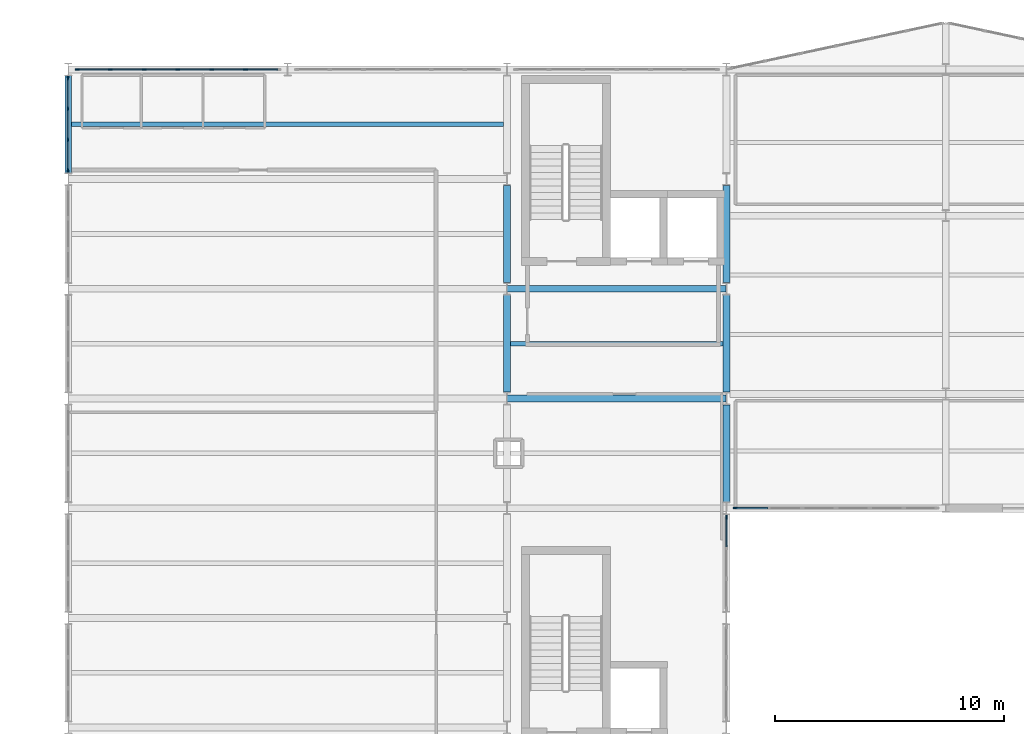
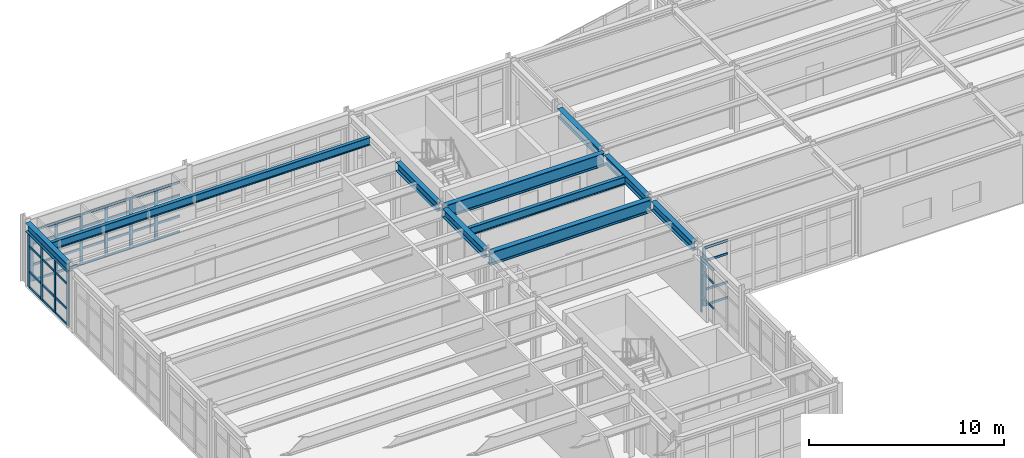
# One storey, part 27 of 64: 55 members, 10 beams, 4 elements without a shape of their own.
"""IFC4 building model written with IfcOpenShell, lengths in metres."""

import ifcopenshell
import ifcopenshell.guid

model = None  # the IFC model being written
_history = None  # IfcOwnerHistory: only IFC2X3 demands one
_inside = {}  # id of a spatial element -> (the spatial element, [elements in it])
_under = {}  # id of a project, library or spatial element -> (it, [spatial elements below it])
_declared = {}  # id of a project -> (the project, [libraries it declares])
_typed = {}  # id of a type object -> (the type object, [elements of that type])
_made_of = {}  # id of a material, layer set ... -> (it, [elements and type objects made of it])


def new_model(schema):
    """Start an empty IFC model of exactly this schema.

    Asked for "IFC4X3", IfcOpenShell would pick the latest addendum, in which some entities
    have other attributes; the version numbers below select the first issue.
    IFC2X3 requires an IfcOwnerHistory on every rooted entity: one is made here for all.
    """
    global model, _history
    if schema == "IFC4X3":
        model = ifcopenshell.file(schema_version=(4, 3, 0, 0))
    else:
        model = ifcopenshell.file(schema=schema)
    _inside.clear()
    _under.clear()
    _declared.clear()
    _typed.clear()
    _made_of.clear()
    _history = None
    if model.schema == "IFC2X3":
        org = make("IfcOrganization", Name="unknown")
        user = make(
            "IfcPersonAndOrganization",
            ThePerson=make("IfcPerson", FamilyName="unknown"),
            TheOrganization=org,
        )
        app = make(
            "IfcApplication",
            ApplicationDeveloper=org,
            Version="unknown",
            ApplicationFullName="unknown",
            ApplicationIdentifier="unknown",
        )
        _history = make(
            "IfcOwnerHistory",
            OwningUser=user,
            OwningApplication=app,
            ChangeAction="ADDED",
            CreationDate=0,
        )
    return model


def make(cls, **values):
    """One entity of the class cls with the attributes given. An attribute that is None is left unset."""
    return model.create_entity(
        cls, **{name: value for name, value in values.items() if value is not None}
    )


def rooted(cls, **values):
    """An entity with a GlobalId (a new one), such as an element, a storey or a relation."""
    return make(cls, GlobalId=ifcopenshell.guid.new(), OwnerHistory=_history, **values)


def si_unit(unit_type, name, prefix=None):
    """IfcSIUnit, for example si_unit("LENGTHUNIT", "METRE", prefix="MILLI")."""
    return make("IfcSIUnit", UnitType=unit_type, Prefix=prefix, Name=name)


def assignment(units):
    """IfcUnitAssignment: the units of a project."""
    return None if units is None else make("IfcUnitAssignment", Units=units)


def point(xyz):
    """IfcCartesianPoint."""
    return None if xyz is None else make("IfcCartesianPoint", Coordinates=xyz)


def direction(xyz):
    """IfcDirection."""
    return None if xyz is None else make("IfcDirection", DirectionRatios=xyz)


def frame(location, z_axis=None, x_axis=None):
    """IfcAxis2Placement3D, a coordinate frame: its origin and axes. An axis left out is left unset."""
    return make(
        "IfcAxis2Placement3D",
        Location=point(location),
        Axis=direction(z_axis),
        RefDirection=direction(x_axis),
    )


def frame_2d(location, x_axis=None):
    """IfcAxis2Placement2D, a coordinate frame in the plane: its origin and x axis."""
    return make(
        "IfcAxis2Placement2D", Location=point(location), RefDirection=direction(x_axis)
    )


def origin():
    """The frame at (0, 0, 0) with its axes left unset."""
    return frame((0.0, 0.0, 0.0))


def origin_2d():
    """The frame at (0, 0) in the plane with its x axis left unset."""
    return frame_2d((0.0, 0.0))


def place(relative_to, where):
    """IfcLocalPlacement: puts the frame where relative to a parent placement (None: the world)."""
    return make(
        "IfcLocalPlacement", PlacementRelTo=relative_to, RelativePlacement=where
    )


def context(
    kind, dimensions, precision=None, world=None, true_north=None, identifier=None
):
    """IfcGeometricRepresentationContext, for example the 3D "Model" context."""
    return make(
        "IfcGeometricRepresentationContext",
        ContextIdentifier=identifier,
        ContextType=kind,
        CoordinateSpaceDimension=dimensions,
        Precision=precision,
        WorldCoordinateSystem=world,
        TrueNorth=true_north,
    )


def subcontext(parent, identifier, kind, view, scale=None):
    """IfcGeometricRepresentationSubContext, for example "Body" below "Model"."""
    return make(
        "IfcGeometricRepresentationSubContext",
        ContextIdentifier=identifier,
        ContextType=kind,
        ParentContext=parent,
        TargetScale=scale,
        TargetView=view,
    )


def project(units=None, contexts=None):
    """IfcProject with its units and contexts."""
    return rooted(
        "IfcProject",
        Name="project",
        RepresentationContexts=contexts,
        UnitsInContext=assignment(units),
    )


def spatial(cls, under=None, at=None, **own):
    """A site, building, storey or space (cls), placed at a placement, below another one or the project."""
    s = rooted(cls, ObjectPlacement=at, **own)
    if under is not None:
        _under.setdefault(under.id(), (under, []))[1].append(s)
    return s


def profile(cls, at=None, kind="AREA", **sizes):
    """A parametric profile (cls). Its sizes go by their IFC names, for example OverallWidth=200.0."""
    return make(cls, ProfileType=kind, Position=at, **sizes)


def rectangle(**sizes):
    """IfcRectangleProfileDef."""
    return profile("IfcRectangleProfileDef", **sizes)


def i_section(**sizes):
    """IfcIShapeProfileDef."""
    return profile("IfcIShapeProfileDef", **sizes)


def extrude(swept, where, along, depth):
    """IfcExtrudedAreaSolid: the profile swept, set in the frame where, extruded along a direction by depth."""
    return make(
        "IfcExtrudedAreaSolid",
        SweptArea=swept,
        Position=where,
        ExtrudedDirection=direction(along),
        Depth=depth,
    )


def shape(context_of_items, identifier, shape_type, items):
    """IfcShapeRepresentation: the items that make up one representation, for example the "Body"."""
    return make(
        "IfcShapeRepresentation",
        ContextOfItems=context_of_items,
        RepresentationIdentifier=identifier,
        RepresentationType=shape_type,
        Items=items,
    )


def material(Name=None, Category=None):
    """IfcMaterial."""
    return make("IfcMaterial", Name=Name, Category=Category)


def layer(
    of_material, thickness, ventilated=None, Name=None, Category=None, Priority=None
):
    """IfcMaterialLayer: one layer of a wall or slab, of a material (None: an air gap)."""
    return make(
        "IfcMaterialLayer",
        Material=of_material,
        LayerThickness=thickness,
        IsVentilated=ventilated,
        Name=Name,
        Category=Category,
        Priority=Priority,
    )


def layer_set(layers, Name=None):
    """IfcMaterialLayerSet."""
    return make("IfcMaterialLayerSet", MaterialLayers=layers, LayerSetName=Name)


def material_profile(
    of_material, cross_section, Name=None, Category=None, Priority=None
):
    """IfcMaterialProfile: a cross section and its material."""
    return make(
        "IfcMaterialProfile",
        Name=Name,
        Material=of_material,
        Profile=cross_section,
        Priority=Priority,
        Category=Category,
    )


def profile_set(profiles, Name=None, composite=None):
    """IfcMaterialProfileSet."""
    return make(
        "IfcMaterialProfileSet",
        Name=Name,
        MaterialProfiles=profiles,
        CompositeProfile=composite,
    )


def made_of(thing, what):
    """Note that an element or type object is made of a material, layer set ...; save() writes the relation."""
    if what is not None:
        _made_of.setdefault(what.id(), (what, []))[1].append(thing)
    return thing


def type_object(cls, material=None, **own):
    """A type object (cls), such as IfcWallType, which elements share."""
    return made_of(rooted(cls, **own), material)


def element(
    cls,
    number,
    at=None,
    inside=None,
    cuts=None,
    type_object=None,
    material=None,
    context=None,
    identifier="Body",
    shape_type=None,
    held_by="IfcProductDefinitionShape",
    body=None,
    shapes=None,
    **own,
):
    """One element of the class cls, such as IfcWall. Its Tag is "e" and its number.

    at: its placement. inside: the storey or other place that contains it. cuts: it is an
    opening in that element (IfcRelVoidsElement). A single representation is given by context,
    identifier, shape_type and body (its items); several are given by shapes. held_by: the class
    of the entity that holds the representations. save() writes the other relations.
    """
    e = rooted(cls, Tag="e%d" % number, ObjectPlacement=at, **own)
    if body is not None:
        shapes = [shape(context, identifier, shape_type, body)]
    if shapes is not None:
        e.Representation = make(held_by, Representations=shapes)
    if inside is not None:
        _inside.setdefault(inside.id(), (inside, []))[1].append(e)
    if cuts is not None:
        rooted(
            "IfcRelVoidsElement", RelatingBuildingElement=cuts, RelatedOpeningElement=e
        )
    if type_object is not None:
        _typed.setdefault(type_object.id(), (type_object, []))[1].append(e)
    return made_of(e, material)


def aggregate(whole, parts):
    """IfcRelAggregates: a whole, such as a stair, and the parts it consists of."""
    return rooted("IfcRelAggregates", RelatingObject=whole, RelatedObjects=parts)


def save(model, path):
    """Write the relations noted so far, then the file.

    IfcRelAggregates (storeys below a building ...), IfcRelContainedInSpatialStructure (elements
    in a storey), IfcRelDefinesByType, IfcRelAssociatesMaterial and IfcRelDeclares: one each for
    every whole, place, type object, material and project.
    """
    for whole, parts in _under.values():
        aggregate(whole, parts)
    for where, things in _inside.values():
        rooted(
            "IfcRelContainedInSpatialStructure",
            RelatedElements=things,
            RelatingStructure=where,
        )
    for kind, things in _typed.values():
        rooted("IfcRelDefinesByType", RelatedObjects=things, RelatingType=kind)
    for what, things in _made_of.values():
        rooted("IfcRelAssociatesMaterial", RelatedObjects=things, RelatingMaterial=what)
    for by, libraries in _declared.values():
        rooted("IfcRelDeclares", RelatingContext=by, RelatedDefinitions=libraries)
    model.write(path)


model = new_model("IFC4")

# Units and contexts
model_context = context("Model", 3, precision=1e-05, world=origin(), true_north=direction((0.0, 1.0)))
body_context = subcontext(model_context, "Body", "Model", "MODEL_VIEW")
ifc_project = project(units=[si_unit("LENGTHUNIT", "METRE"), si_unit("AREAUNIT", "SQUARE_METRE"), si_unit("VOLUMEUNIT", "CUBIC_METRE"), si_unit("PLANEANGLEUNIT", "RADIAN"), si_unit("MASSUNIT", "GRAM", prefix="KILO")], contexts=[model_context])

# Site, building, storey
site_placement = place(None, origin())
site = spatial("IfcSite", under=ifc_project, at=site_placement, CompositionType="ELEMENT")
building_placement = place(site_placement, origin())
building = spatial("IfcBuilding", under=site, at=building_placement, Name="Nordkorset Police Headquarters", CompositionType="ELEMENT")
storey_placement = place(building_placement, frame((0.0, 0.0, 17.85009765625)))
storey = spatial("IfcBuildingStorey", under=building, at=storey_placement, Name="L04", CompositionType="ELEMENT", Elevation=17.85009765625)

# Beams
ifc_material_1 = material(Name="Steel S355J2", Category="steel")
ifc_material_profile_1 = material_profile(ifc_material_1, i_section(OverallWidth=0.199951171875, OverallDepth=0.5, WebThickness=0.01025390625, FlangeThickness=0.01611328125, FilletRadius=0.02099609375, at=origin_2d()), Name="IPE 500")
ifc_profile_set_1 = profile_set([ifc_material_profile_1], Name="Steel S355J2")
beam_type_1 = type_object("IfcBeamType", Name="Beam_IPE_500", PredefinedType="BEAM", material=ifc_profile_set_1)
beam_1_placement = place(storey_placement, frame((0.14990234375, 114.39990234375, 3.739990234375), z_axis=(1.0, 0.0, 0.0), x_axis=(0.0, 1.0, 0.0)))
element("IfcBeam", 1, at=beam_1_placement, inside=storey, type_object=beam_type_1, Name="Composite Floor Beam V1 L04 0-6-1", PredefinedType="BEAM", context=body_context, shape_type="SweptSolid", body=[
    extrude(i_section(OverallWidth=0.199951171875, OverallDepth=0.5, WebThickness=0.01025390625, FlangeThickness=0.01611328125, FilletRadius=0.02099609375, at=origin_2d()), origin(), (0.0, 0.0, 1.0), 18.900146484375),
])
beam_2_placement = place(storey_placement, frame((19.35009765625, 104.800048828125, 3.739990234375), z_axis=(1.0, 0.0, 0.0), x_axis=(0.0, 1.0, 0.0)))
element("IfcBeam", 2, at=beam_2_placement, inside=storey, type_object=beam_type_1, Name="Composite Floor Beam V1 L04 1-4-1", PredefinedType="BEAM", context=body_context, shape_type="SweptSolid", body=[
    extrude(i_section(OverallWidth=0.199951171875, OverallDepth=0.5, WebThickness=0.01025390625, FlangeThickness=0.01611328125, FilletRadius=0.02099609375, at=origin_2d()), origin(), (0.0, 0.0, 1.0), 9.2998046875),
])

# Curtain wall, members
ifc_material_2 = material(Name="Aluminium alloy AW-6060", Category="aluminium")
ifc_layer_1 = layer(ifc_material_2, 0.179931640625, Name="Aluminium alloy AW-6060")
ifc_layer_set_1 = layer_set([ifc_layer_1], Name="Aluminium alloy AW-6060")
curtain_wall_type_1 = type_object("IfcCurtainWallType", Name="CW_Unit_408x343", PredefinedType="USERDEFINED", material=ifc_layer_set_1)
curtain_wall_1_placement = place(storey_placement, origin())
curtain_wall_1 = element("IfcCurtainWall", 3, at=curtain_wall_1_placement, inside=storey, type_object=curtain_wall_type_1, Name="Unitised Curtain Wall L04 V1W-6", ObjectType="UNITISED CURTAIN WALL", PredefinedType="USERDEFINED")
ifc_material_3 = material(Name="Aluminium alloy AW-6060", Category="aluminium")
ifc_material_profile_2 = material_profile(ifc_material_3, rectangle(XDim=0.06494140625, YDim=0.179931640625, at=origin_2d()), Name="ALU MULL 65x180")
ifc_profile_set_2 = profile_set([ifc_material_profile_2], Name="Aluminium alloy AW-6060")
member_type_1 = type_object("IfcMemberType", Name="CW_Mullion_65x180", PredefinedType="MULLION", material=ifc_profile_set_2)
member_1_placement = place(storey_placement, frame((0.0, 112.392578125, 0.0), z_axis=(0.0, 0.0, 1.0), x_axis=(-1.0, 0.0, 0.0)))
member_1 = element("IfcMember", 4, at=member_1_placement, type_object=member_type_1, Name="CW-89 mullion 1", PredefinedType="MULLION", context=body_context, shape_type="SweptSolid", body=[
    extrude(rectangle(XDim=0.06494140625, YDim=0.179931640625, at=origin_2d()), origin(), (0.0, 0.0, 1.0), 3.429931640625),
])
member_2_placement = place(storey_placement, frame((0.0, 113.719970703125, 0.0), z_axis=(0.0, 0.0, 1.0), x_axis=(-1.0, 0.0, 0.0)))
member_2 = element("IfcMember", 5, at=member_2_placement, type_object=member_type_1, Name="CW-89 mullion 2", PredefinedType="MULLION", context=body_context, shape_type="SweptSolid", body=[
    extrude(rectangle(XDim=0.06494140625, YDim=0.179931640625, at=origin_2d()), origin(), (0.0, 0.0, 1.0), 3.429931640625),
])
member_3_placement = place(storey_placement, frame((0.0, 115.080078125, 0.0), z_axis=(0.0, 0.0, 1.0), x_axis=(-1.0, 0.0, 0.0)))
member_3 = element("IfcMember", 6, at=member_3_placement, type_object=member_type_1, Name="CW-89 mullion 3", PredefinedType="MULLION", context=body_context, shape_type="SweptSolid", body=[
    extrude(rectangle(XDim=0.06494140625, YDim=0.179931640625, at=origin_2d()), origin(), (0.0, 0.0, 1.0), 3.429931640625),
])
member_4_placement = place(storey_placement, frame((0.0, 116.407470703125, 0.0), z_axis=(0.0, 0.0, 1.0), x_axis=(-1.0, 0.0, 0.0)))
member_4 = element("IfcMember", 7, at=member_4_placement, type_object=member_type_1, Name="CW-89 mullion 4", PredefinedType="MULLION", context=body_context, shape_type="SweptSolid", body=[
    extrude(rectangle(XDim=0.06494140625, YDim=0.179931640625, at=origin_2d()), origin(), (0.0, 0.0, 1.0), 3.429931640625),
])

ifc_material_4 = material(Name="Aluminium alloy AW-6060", Category="aluminium")
ifc_layer_2 = layer(ifc_material_4, 0.179931640625, Name="Aluminium alloy AW-6060")
ifc_layer_set_2 = layer_set([ifc_layer_2], Name="Aluminium alloy AW-6060")
curtain_wall_type_2 = type_object("IfcCurtainWallType", Name="CW_Unit_888x317", PredefinedType="USERDEFINED", material=ifc_layer_set_2)
curtain_wall_2_placement = place(storey_placement, origin())
curtain_wall_2 = element("IfcCurtainWall", 8, at=curtain_wall_2_placement, inside=storey, type_object=curtain_wall_type_2, Name="Unitised Curtain Wall L04 V1N-0", ObjectType="UNITISED CURTAIN WALL", PredefinedType="USERDEFINED")
member_5_placement = place(storey_placement, frame((0.392578125, 116.800048828125, 0.0), z_axis=(0.0, 0.0, 1.0), x_axis=(0.0, 1.0, 0.0)))
member_5 = element("IfcMember", 9, at=member_5_placement, type_object=member_type_1, Name="CW-45 mullion 1", PredefinedType="MULLION", context=body_context, shape_type="SweptSolid", body=[
    extrude(rectangle(XDim=0.06494140625, YDim=0.179931640625, at=origin_2d()), origin(), (0.0, 0.0, 1.0), 3.169921875),
])
member_6_placement = place(storey_placement, frame((1.840087890625, 116.800048828125, 0.0), z_axis=(0.0, 0.0, 1.0), x_axis=(0.0, 1.0, 0.0)))
member_6 = element("IfcMember", 10, at=member_6_placement, type_object=member_type_1, Name="CW-45 mullion 2", PredefinedType="MULLION", context=body_context, shape_type="SweptSolid", body=[
    extrude(rectangle(XDim=0.06494140625, YDim=0.179931640625, at=origin_2d()), origin(), (0.0, 0.0, 1.0), 3.169921875),
])
member_7_placement = place(storey_placement, frame((3.320068359375, 116.800048828125, 0.0), z_axis=(0.0, 0.0, 1.0), x_axis=(0.0, 1.0, 0.0)))
member_7 = element("IfcMember", 11, at=member_7_placement, type_object=member_type_1, Name="CW-45 mullion 3", PredefinedType="MULLION", context=body_context, shape_type="SweptSolid", body=[
    extrude(rectangle(XDim=0.06494140625, YDim=0.179931640625, at=origin_2d()), origin(), (0.0, 0.0, 1.0), 3.169921875),
])
member_8_placement = place(storey_placement, frame((4.800048828125, 116.800048828125, 0.0), z_axis=(0.0, 0.0, 1.0), x_axis=(0.0, 1.0, 0.0)))
member_8 = element("IfcMember", 12, at=member_8_placement, type_object=member_type_1, Name="CW-45 mullion 4", PredefinedType="MULLION", context=body_context, shape_type="SweptSolid", body=[
    extrude(rectangle(XDim=0.06494140625, YDim=0.179931640625, at=origin_2d()), origin(), (0.0, 0.0, 1.0), 3.169921875),
])
member_9_placement = place(storey_placement, frame((6.280029296875, 116.800048828125, 0.0), z_axis=(0.0, 0.0, 1.0), x_axis=(0.0, 1.0, 0.0)))
member_9 = element("IfcMember", 13, at=member_9_placement, type_object=member_type_1, Name="CW-45 mullion 5", PredefinedType="MULLION", context=body_context, shape_type="SweptSolid", body=[
    extrude(rectangle(XDim=0.06494140625, YDim=0.179931640625, at=origin_2d()), origin(), (0.0, 0.0, 1.0), 3.169921875),
])
member_10_placement = place(storey_placement, frame((7.760009765625, 116.800048828125, 0.0), z_axis=(0.0, 0.0, 1.0), x_axis=(0.0, 1.0, 0.0)))
member_10 = element("IfcMember", 14, at=member_10_placement, type_object=member_type_1, Name="CW-45 mullion 6", PredefinedType="MULLION", context=body_context, shape_type="SweptSolid", body=[
    extrude(rectangle(XDim=0.06494140625, YDim=0.179931640625, at=origin_2d()), origin(), (0.0, 0.0, 1.0), 3.169921875),
])

# Curtain wall, member
curtain_wall_3_placement = place(storey_placement, origin())
curtain_wall_3 = element("IfcCurtainWall", 15, at=curtain_wall_3_placement, inside=storey, type_object=curtain_wall_type_1, Name="Unitised Curtain Wall L04 V1E-2", ObjectType="UNITISED CURTAIN WALL", PredefinedType="USERDEFINED")
member_11_placement = place(storey_placement, frame((28.800048828125, 97.20751953125, 0.0), z_axis=(0.0, 0.0, 1.0), x_axis=(-1.0, 0.0, 0.0)))
member_11 = element("IfcMember", 16, at=member_11_placement, type_object=member_type_1, Name="CW-89 mullion 4", PredefinedType="MULLION", context=body_context, shape_type="SweptSolid", body=[
    extrude(rectangle(XDim=0.06494140625, YDim=0.179931640625, at=origin_2d()), origin(), (0.0, 0.0, 1.0), 3.429931640625),
])

ifc_material_5 = material(Name="Aluminium alloy AW-6060", Category="aluminium")
ifc_layer_3 = layer(ifc_material_5, 0.179931640625, Name="Aluminium alloy AW-6060")
ifc_layer_set_3 = layer_set([ifc_layer_3], Name="Aluminium alloy AW-6060")
curtain_wall_type_3 = type_object("IfcCurtainWallType", Name="CW_Unit_888x366", PredefinedType="USERDEFINED", material=ifc_layer_set_3)
curtain_wall_4_placement = place(storey_placement, origin())
curtain_wall_4 = element("IfcCurtainWall", 17, at=curtain_wall_4_placement, inside=storey, type_object=curtain_wall_type_3, Name="Unitised Curtain Wall L04 V2S-0", ObjectType="UNITISED CURTAIN WALL", PredefinedType="USERDEFINED")
member_12_placement = place(storey_placement, frame((29.1923828125, 97.60009765625, 0.0), z_axis=(0.0, 0.0, 1.0), x_axis=(0.0, 1.0, 0.0)))
member_12 = element("IfcMember", 18, at=member_12_placement, type_object=member_type_1, Name="CW-19 mullion 1", PredefinedType="MULLION", context=body_context, shape_type="SweptSolid", body=[
    extrude(rectangle(XDim=0.06494140625, YDim=0.179931640625, at=origin_2d()), origin(), (0.0, 0.0, 1.0), 3.65478515625),
])

# Member
ifc_material_6 = material(Name="Aluminium alloy AW-6060", Category="aluminium")
ifc_material_profile_3 = material_profile(ifc_material_6, rectangle(XDim=0.06494140625, YDim=0.139892578125, at=origin_2d()), Name="ALU TRAN 65x140")
ifc_profile_set_3 = profile_set([ifc_material_profile_3], Name="Aluminium alloy AW-6060")
member_type_2 = type_object("IfcMemberType", Name="CW_Transom_65x140", PredefinedType="USERDEFINED", material=ifc_profile_set_3)
member_13_placement = place(storey_placement, frame((0.0, 112.425048828125, 0.032470703125), z_axis=(0.0, 1.0, 0.0), x_axis=(-1.0, 0.0, 0.0)))
member_13 = element("IfcMember", 19, at=member_13_placement, type_object=member_type_2, Name="CW-89 transom 1.1", ObjectType="TRANSOM", PredefinedType="USERDEFINED", context=body_context, shape_type="SweptSolid", body=[
    extrude(rectangle(XDim=0.06494140625, YDim=0.139892578125, at=origin_2d()), origin(), (0.0, 0.0, 1.0), 1.262451171875),
])

member_14_placement = place(storey_placement, frame((0.0, 112.425048828125, 1.0), z_axis=(0.0, 1.0, 0.0), x_axis=(-1.0, 0.0, 0.0)))
member_14 = element("IfcMember", 20, at=member_14_placement, type_object=member_type_2, Name="CW-89 transom 1.2", ObjectType="TRANSOM", PredefinedType="USERDEFINED", context=body_context, shape_type="SweptSolid", body=[
    extrude(rectangle(XDim=0.06494140625, YDim=0.139892578125, at=origin_2d()), origin(), (0.0, 0.0, 1.0), 1.262451171875),
])

member_15_placement = place(storey_placement, frame((0.0, 112.425048828125, 2.579833984375), z_axis=(0.0, 1.0, 0.0), x_axis=(-1.0, 0.0, 0.0)))
member_15 = element("IfcMember", 21, at=member_15_placement, type_object=member_type_2, Name="CW-89 transom 1.3", ObjectType="TRANSOM", PredefinedType="USERDEFINED", context=body_context, shape_type="SweptSolid", body=[
    extrude(rectangle(XDim=0.06494140625, YDim=0.139892578125, at=origin_2d()), origin(), (0.0, 0.0, 1.0), 1.262451171875),
])

member_16_placement = place(storey_placement, frame((0.0, 112.425048828125, 3.3974609375), z_axis=(0.0, 1.0, 0.0), x_axis=(-1.0, 0.0, 0.0)))
member_16 = element("IfcMember", 22, at=member_16_placement, type_object=member_type_2, Name="CW-89 transom 1.4", ObjectType="TRANSOM", PredefinedType="USERDEFINED", context=body_context, shape_type="SweptSolid", body=[
    extrude(rectangle(XDim=0.06494140625, YDim=0.139892578125, at=origin_2d()), origin(), (0.0, 0.0, 1.0), 1.262451171875),
])

member_17_placement = place(storey_placement, frame((0.0, 113.75244140625, 0.032470703125), z_axis=(0.0, 1.0, 0.0), x_axis=(-1.0, 0.0, 0.0)))
member_17 = element("IfcMember", 23, at=member_17_placement, type_object=member_type_2, Name="CW-89 transom 2.1", ObjectType="TRANSOM", PredefinedType="USERDEFINED", context=body_context, shape_type="SweptSolid", body=[
    extrude(rectangle(XDim=0.06494140625, YDim=0.139892578125, at=origin_2d()), origin(), (0.0, 0.0, 1.0), 1.295166015625),
])

member_18_placement = place(storey_placement, frame((0.0, 113.75244140625, 1.0), z_axis=(0.0, 1.0, 0.0), x_axis=(-1.0, 0.0, 0.0)))
member_18 = element("IfcMember", 24, at=member_18_placement, type_object=member_type_2, Name="CW-89 transom 2.2", ObjectType="TRANSOM", PredefinedType="USERDEFINED", context=body_context, shape_type="SweptSolid", body=[
    extrude(rectangle(XDim=0.06494140625, YDim=0.139892578125, at=origin_2d()), origin(), (0.0, 0.0, 1.0), 1.295166015625),
])

member_19_placement = place(storey_placement, frame((0.0, 113.75244140625, 2.579833984375), z_axis=(0.0, 1.0, 0.0), x_axis=(-1.0, 0.0, 0.0)))
member_19 = element("IfcMember", 25, at=member_19_placement, type_object=member_type_2, Name="CW-89 transom 2.3", ObjectType="TRANSOM", PredefinedType="USERDEFINED", context=body_context, shape_type="SweptSolid", body=[
    extrude(rectangle(XDim=0.06494140625, YDim=0.139892578125, at=origin_2d()), origin(), (0.0, 0.0, 1.0), 1.295166015625),
])

member_20_placement = place(storey_placement, frame((0.0, 113.75244140625, 3.3974609375), z_axis=(0.0, 1.0, 0.0), x_axis=(-1.0, 0.0, 0.0)))
member_20 = element("IfcMember", 26, at=member_20_placement, type_object=member_type_2, Name="CW-89 transom 2.4", ObjectType="TRANSOM", PredefinedType="USERDEFINED", context=body_context, shape_type="SweptSolid", body=[
    extrude(rectangle(XDim=0.06494140625, YDim=0.139892578125, at=origin_2d()), origin(), (0.0, 0.0, 1.0), 1.295166015625),
])

member_21_placement = place(storey_placement, frame((0.0, 115.112548828125, 0.032470703125), z_axis=(0.0, 1.0, 0.0), x_axis=(-1.0, 0.0, 0.0)))
member_21 = element("IfcMember", 27, at=member_21_placement, type_object=member_type_2, Name="CW-89 transom 3.1", ObjectType="TRANSOM", PredefinedType="USERDEFINED", context=body_context, shape_type="SweptSolid", body=[
    extrude(rectangle(XDim=0.06494140625, YDim=0.139892578125, at=origin_2d()), origin(), (0.0, 0.0, 1.0), 1.262451171875),
])

member_22_placement = place(storey_placement, frame((0.0, 115.112548828125, 1.0), z_axis=(0.0, 1.0, 0.0), x_axis=(-1.0, 0.0, 0.0)))
member_22 = element("IfcMember", 28, at=member_22_placement, type_object=member_type_2, Name="CW-89 transom 3.2", ObjectType="TRANSOM", PredefinedType="USERDEFINED", context=body_context, shape_type="SweptSolid", body=[
    extrude(rectangle(XDim=0.06494140625, YDim=0.139892578125, at=origin_2d()), origin(), (0.0, 0.0, 1.0), 1.262451171875),
])

member_23_placement = place(storey_placement, frame((0.0, 115.112548828125, 2.579833984375), z_axis=(0.0, 1.0, 0.0), x_axis=(-1.0, 0.0, 0.0)))
member_23 = element("IfcMember", 29, at=member_23_placement, type_object=member_type_2, Name="CW-89 transom 3.3", ObjectType="TRANSOM", PredefinedType="USERDEFINED", context=body_context, shape_type="SweptSolid", body=[
    extrude(rectangle(XDim=0.06494140625, YDim=0.139892578125, at=origin_2d()), origin(), (0.0, 0.0, 1.0), 1.262451171875),
])

member_24_placement = place(storey_placement, frame((0.0, 115.112548828125, 3.3974609375), z_axis=(0.0, 1.0, 0.0), x_axis=(-1.0, 0.0, 0.0)))
member_24 = element("IfcMember", 30, at=member_24_placement, type_object=member_type_2, Name="CW-89 transom 3.4", ObjectType="TRANSOM", PredefinedType="USERDEFINED", context=body_context, shape_type="SweptSolid", body=[
    extrude(rectangle(XDim=0.06494140625, YDim=0.139892578125, at=origin_2d()), origin(), (0.0, 0.0, 1.0), 1.262451171875),
])

aggregate(curtain_wall_1, [member_1, member_2, member_3, member_4, member_13, member_14, member_15, member_16, member_17, member_18, member_19, member_20, member_21, member_22, member_23, member_24])

member_25_placement = place(storey_placement, frame((0.425048828125, 116.800048828125, 0.032470703125), z_axis=(1.0, 0.0, 0.0), x_axis=(0.0, 1.0, 0.0)))
member_25 = element("IfcMember", 31, at=member_25_placement, type_object=member_type_2, Name="CW-45 transom 1.1", ObjectType="TRANSOM", PredefinedType="USERDEFINED", context=body_context, shape_type="SweptSolid", body=[
    extrude(rectangle(XDim=0.06494140625, YDim=0.139892578125, at=origin_2d()), origin(), (0.0, 0.0, 1.0), 1.382568359375),
])

member_26_placement = place(storey_placement, frame((0.425048828125, 116.800048828125, 1.0), z_axis=(1.0, 0.0, 0.0), x_axis=(0.0, 1.0, 0.0)))
member_26 = element("IfcMember", 32, at=member_26_placement, type_object=member_type_2, Name="CW-45 transom 1.2", ObjectType="TRANSOM", PredefinedType="USERDEFINED", context=body_context, shape_type="SweptSolid", body=[
    extrude(rectangle(XDim=0.06494140625, YDim=0.139892578125, at=origin_2d()), origin(), (0.0, 0.0, 1.0), 1.382568359375),
])

member_27_placement = place(storey_placement, frame((0.425048828125, 116.800048828125, 2.31982421875), z_axis=(1.0, 0.0, 0.0), x_axis=(0.0, 1.0, 0.0)))
member_27 = element("IfcMember", 33, at=member_27_placement, type_object=member_type_2, Name="CW-45 transom 1.3", ObjectType="TRANSOM", PredefinedType="USERDEFINED", context=body_context, shape_type="SweptSolid", body=[
    extrude(rectangle(XDim=0.06494140625, YDim=0.139892578125, at=origin_2d()), origin(), (0.0, 0.0, 1.0), 1.382568359375),
])

member_28_placement = place(storey_placement, frame((0.425048828125, 116.800048828125, 3.137451171875), z_axis=(1.0, 0.0, 0.0), x_axis=(0.0, 1.0, 0.0)))
member_28 = element("IfcMember", 34, at=member_28_placement, type_object=member_type_2, Name="CW-45 transom 1.4", ObjectType="TRANSOM", PredefinedType="USERDEFINED", context=body_context, shape_type="SweptSolid", body=[
    extrude(rectangle(XDim=0.06494140625, YDim=0.139892578125, at=origin_2d()), origin(), (0.0, 0.0, 1.0), 1.382568359375),
])

member_29_placement = place(storey_placement, frame((1.87255859375, 116.800048828125, 0.032470703125), z_axis=(1.0, 0.0, 0.0), x_axis=(0.0, 1.0, 0.0)))
member_29 = element("IfcMember", 35, at=member_29_placement, type_object=member_type_2, Name="CW-45 transom 2.1", ObjectType="TRANSOM", PredefinedType="USERDEFINED", context=body_context, shape_type="SweptSolid", body=[
    extrude(rectangle(XDim=0.06494140625, YDim=0.139892578125, at=origin_2d()), origin(), (0.0, 0.0, 1.0), 1.4150390625),
])

member_30_placement = place(storey_placement, frame((1.87255859375, 116.800048828125, 1.0), z_axis=(1.0, 0.0, 0.0), x_axis=(0.0, 1.0, 0.0)))
member_30 = element("IfcMember", 36, at=member_30_placement, type_object=member_type_2, Name="CW-45 transom 2.2", ObjectType="TRANSOM", PredefinedType="USERDEFINED", context=body_context, shape_type="SweptSolid", body=[
    extrude(rectangle(XDim=0.06494140625, YDim=0.139892578125, at=origin_2d()), origin(), (0.0, 0.0, 1.0), 1.4150390625),
])

member_31_placement = place(storey_placement, frame((1.87255859375, 116.800048828125, 2.31982421875), z_axis=(1.0, 0.0, 0.0), x_axis=(0.0, 1.0, 0.0)))
member_31 = element("IfcMember", 37, at=member_31_placement, type_object=member_type_2, Name="CW-45 transom 2.3", ObjectType="TRANSOM", PredefinedType="USERDEFINED", context=body_context, shape_type="SweptSolid", body=[
    extrude(rectangle(XDim=0.06494140625, YDim=0.139892578125, at=origin_2d()), origin(), (0.0, 0.0, 1.0), 1.4150390625),
])

member_32_placement = place(storey_placement, frame((1.87255859375, 116.800048828125, 3.137451171875), z_axis=(1.0, 0.0, 0.0), x_axis=(0.0, 1.0, 0.0)))
member_32 = element("IfcMember", 38, at=member_32_placement, type_object=member_type_2, Name="CW-45 transom 2.4", ObjectType="TRANSOM", PredefinedType="USERDEFINED", context=body_context, shape_type="SweptSolid", body=[
    extrude(rectangle(XDim=0.06494140625, YDim=0.139892578125, at=origin_2d()), origin(), (0.0, 0.0, 1.0), 1.4150390625),
])

member_33_placement = place(storey_placement, frame((3.3525390625, 116.800048828125, 0.032470703125), z_axis=(1.0, 0.0, 0.0), x_axis=(0.0, 1.0, 0.0)))
member_33 = element("IfcMember", 39, at=member_33_placement, type_object=member_type_2, Name="CW-45 transom 3.1", ObjectType="TRANSOM", PredefinedType="USERDEFINED", context=body_context, shape_type="SweptSolid", body=[
    extrude(rectangle(XDim=0.06494140625, YDim=0.139892578125, at=origin_2d()), origin(), (0.0, 0.0, 1.0), 1.4150390625),
])

member_34_placement = place(storey_placement, frame((3.3525390625, 116.800048828125, 1.0), z_axis=(1.0, 0.0, 0.0), x_axis=(0.0, 1.0, 0.0)))
member_34 = element("IfcMember", 40, at=member_34_placement, type_object=member_type_2, Name="CW-45 transom 3.2", ObjectType="TRANSOM", PredefinedType="USERDEFINED", context=body_context, shape_type="SweptSolid", body=[
    extrude(rectangle(XDim=0.06494140625, YDim=0.139892578125, at=origin_2d()), origin(), (0.0, 0.0, 1.0), 1.4150390625),
])

member_35_placement = place(storey_placement, frame((3.3525390625, 116.800048828125, 2.31982421875), z_axis=(1.0, 0.0, 0.0), x_axis=(0.0, 1.0, 0.0)))
member_35 = element("IfcMember", 41, at=member_35_placement, type_object=member_type_2, Name="CW-45 transom 3.3", ObjectType="TRANSOM", PredefinedType="USERDEFINED", context=body_context, shape_type="SweptSolid", body=[
    extrude(rectangle(XDim=0.06494140625, YDim=0.139892578125, at=origin_2d()), origin(), (0.0, 0.0, 1.0), 1.4150390625),
])

member_36_placement = place(storey_placement, frame((3.3525390625, 116.800048828125, 3.137451171875), z_axis=(1.0, 0.0, 0.0), x_axis=(0.0, 1.0, 0.0)))
member_36 = element("IfcMember", 42, at=member_36_placement, type_object=member_type_2, Name="CW-45 transom 3.4", ObjectType="TRANSOM", PredefinedType="USERDEFINED", context=body_context, shape_type="SweptSolid", body=[
    extrude(rectangle(XDim=0.06494140625, YDim=0.139892578125, at=origin_2d()), origin(), (0.0, 0.0, 1.0), 1.4150390625),
])

member_37_placement = place(storey_placement, frame((4.83251953125, 116.800048828125, 0.032470703125), z_axis=(1.0, 0.0, 0.0), x_axis=(0.0, 1.0, 0.0)))
member_37 = element("IfcMember", 43, at=member_37_placement, type_object=member_type_2, Name="CW-45 transom 4.1", ObjectType="TRANSOM", PredefinedType="USERDEFINED", context=body_context, shape_type="SweptSolid", body=[
    extrude(rectangle(XDim=0.06494140625, YDim=0.139892578125, at=origin_2d()), origin(), (0.0, 0.0, 1.0), 1.4150390625),
])

member_38_placement = place(storey_placement, frame((4.83251953125, 116.800048828125, 1.0), z_axis=(1.0, 0.0, 0.0), x_axis=(0.0, 1.0, 0.0)))
member_38 = element("IfcMember", 44, at=member_38_placement, type_object=member_type_2, Name="CW-45 transom 4.2", ObjectType="TRANSOM", PredefinedType="USERDEFINED", context=body_context, shape_type="SweptSolid", body=[
    extrude(rectangle(XDim=0.06494140625, YDim=0.139892578125, at=origin_2d()), origin(), (0.0, 0.0, 1.0), 1.4150390625),
])

member_39_placement = place(storey_placement, frame((4.83251953125, 116.800048828125, 2.31982421875), z_axis=(1.0, 0.0, 0.0), x_axis=(0.0, 1.0, 0.0)))
member_39 = element("IfcMember", 45, at=member_39_placement, type_object=member_type_2, Name="CW-45 transom 4.3", ObjectType="TRANSOM", PredefinedType="USERDEFINED", context=body_context, shape_type="SweptSolid", body=[
    extrude(rectangle(XDim=0.06494140625, YDim=0.139892578125, at=origin_2d()), origin(), (0.0, 0.0, 1.0), 1.4150390625),
])

member_40_placement = place(storey_placement, frame((4.83251953125, 116.800048828125, 3.137451171875), z_axis=(1.0, 0.0, 0.0), x_axis=(0.0, 1.0, 0.0)))
member_40 = element("IfcMember", 46, at=member_40_placement, type_object=member_type_2, Name="CW-45 transom 4.4", ObjectType="TRANSOM", PredefinedType="USERDEFINED", context=body_context, shape_type="SweptSolid", body=[
    extrude(rectangle(XDim=0.06494140625, YDim=0.139892578125, at=origin_2d()), origin(), (0.0, 0.0, 1.0), 1.4150390625),
])

member_41_placement = place(storey_placement, frame((6.3125, 116.800048828125, 0.032470703125), z_axis=(1.0, 0.0, 0.0), x_axis=(0.0, 1.0, 0.0)))
member_41 = element("IfcMember", 47, at=member_41_placement, type_object=member_type_2, Name="CW-45 transom 5.1", ObjectType="TRANSOM", PredefinedType="USERDEFINED", context=body_context, shape_type="SweptSolid", body=[
    extrude(rectangle(XDim=0.06494140625, YDim=0.139892578125, at=origin_2d()), origin(), (0.0, 0.0, 1.0), 1.4150390625),
])

member_42_placement = place(storey_placement, frame((6.3125, 116.800048828125, 1.0), z_axis=(1.0, 0.0, 0.0), x_axis=(0.0, 1.0, 0.0)))
member_42 = element("IfcMember", 48, at=member_42_placement, type_object=member_type_2, Name="CW-45 transom 5.2", ObjectType="TRANSOM", PredefinedType="USERDEFINED", context=body_context, shape_type="SweptSolid", body=[
    extrude(rectangle(XDim=0.06494140625, YDim=0.139892578125, at=origin_2d()), origin(), (0.0, 0.0, 1.0), 1.4150390625),
])

member_43_placement = place(storey_placement, frame((6.3125, 116.800048828125, 2.31982421875), z_axis=(1.0, 0.0, 0.0), x_axis=(0.0, 1.0, 0.0)))
member_43 = element("IfcMember", 49, at=member_43_placement, type_object=member_type_2, Name="CW-45 transom 5.3", ObjectType="TRANSOM", PredefinedType="USERDEFINED", context=body_context, shape_type="SweptSolid", body=[
    extrude(rectangle(XDim=0.06494140625, YDim=0.139892578125, at=origin_2d()), origin(), (0.0, 0.0, 1.0), 1.4150390625),
])

member_44_placement = place(storey_placement, frame((6.3125, 116.800048828125, 3.137451171875), z_axis=(1.0, 0.0, 0.0), x_axis=(0.0, 1.0, 0.0)))
member_44 = element("IfcMember", 50, at=member_44_placement, type_object=member_type_2, Name="CW-45 transom 5.4", ObjectType="TRANSOM", PredefinedType="USERDEFINED", context=body_context, shape_type="SweptSolid", body=[
    extrude(rectangle(XDim=0.06494140625, YDim=0.139892578125, at=origin_2d()), origin(), (0.0, 0.0, 1.0), 1.4150390625),
])

member_45_placement = place(storey_placement, frame((7.79248046875, 116.800048828125, 0.032470703125), z_axis=(1.0, 0.0, 0.0), x_axis=(0.0, 1.0, 0.0)))
member_45 = element("IfcMember", 51, at=member_45_placement, type_object=member_type_2, Name="CW-45 transom 6.1", ObjectType="TRANSOM", PredefinedType="USERDEFINED", context=body_context, shape_type="SweptSolid", body=[
    extrude(rectangle(XDim=0.06494140625, YDim=0.139892578125, at=origin_2d()), origin(), (0.0, 0.0, 1.0), 1.382568359375),
])

member_46_placement = place(storey_placement, frame((7.79248046875, 116.800048828125, 1.0), z_axis=(1.0, 0.0, 0.0), x_axis=(0.0, 1.0, 0.0)))
member_46 = element("IfcMember", 52, at=member_46_placement, type_object=member_type_2, Name="CW-45 transom 6.2", ObjectType="TRANSOM", PredefinedType="USERDEFINED", context=body_context, shape_type="SweptSolid", body=[
    extrude(rectangle(XDim=0.06494140625, YDim=0.139892578125, at=origin_2d()), origin(), (0.0, 0.0, 1.0), 1.382568359375),
])

member_47_placement = place(storey_placement, frame((7.79248046875, 116.800048828125, 2.31982421875), z_axis=(1.0, 0.0, 0.0), x_axis=(0.0, 1.0, 0.0)))
member_47 = element("IfcMember", 53, at=member_47_placement, type_object=member_type_2, Name="CW-45 transom 6.3", ObjectType="TRANSOM", PredefinedType="USERDEFINED", context=body_context, shape_type="SweptSolid", body=[
    extrude(rectangle(XDim=0.06494140625, YDim=0.139892578125, at=origin_2d()), origin(), (0.0, 0.0, 1.0), 1.382568359375),
])

member_48_placement = place(storey_placement, frame((7.79248046875, 116.800048828125, 3.137451171875), z_axis=(1.0, 0.0, 0.0), x_axis=(0.0, 1.0, 0.0)))
member_48 = element("IfcMember", 54, at=member_48_placement, type_object=member_type_2, Name="CW-45 transom 6.4", ObjectType="TRANSOM", PredefinedType="USERDEFINED", context=body_context, shape_type="SweptSolid", body=[
    extrude(rectangle(XDim=0.06494140625, YDim=0.139892578125, at=origin_2d()), origin(), (0.0, 0.0, 1.0), 1.382568359375),
])

aggregate(curtain_wall_2, [member_5, member_6, member_7, member_8, member_9, member_10, member_25, member_26, member_27, member_28, member_29, member_30, member_31, member_32, member_33, member_34, member_35, member_36, member_37, member_38, member_39, member_40, member_41, member_42, member_43, member_44, member_45, member_46, member_47, member_48])

member_49_placement = place(storey_placement, frame((28.800048828125, 95.91259765625, 1.0), z_axis=(0.0, 1.0, 0.0), x_axis=(-1.0, 0.0, 0.0)))
member_49 = element("IfcMember", 55, at=member_49_placement, type_object=member_type_2, Name="CW-89 transom 3.2", ObjectType="TRANSOM", PredefinedType="USERDEFINED", context=body_context, shape_type="SweptSolid", body=[
    extrude(rectangle(XDim=0.06494140625, YDim=0.139892578125, at=origin_2d()), origin(), (0.0, 0.0, 1.0), 1.262451171875),
])

member_50_placement = place(storey_placement, frame((28.800048828125, 95.91259765625, 2.579833984375), z_axis=(0.0, 1.0, 0.0), x_axis=(-1.0, 0.0, 0.0)))
member_50 = element("IfcMember", 56, at=member_50_placement, type_object=member_type_2, Name="CW-89 transom 3.3", ObjectType="TRANSOM", PredefinedType="USERDEFINED", context=body_context, shape_type="SweptSolid", body=[
    extrude(rectangle(XDim=0.06494140625, YDim=0.139892578125, at=origin_2d()), origin(), (0.0, 0.0, 1.0), 1.262451171875),
])

member_51_placement = place(storey_placement, frame((28.800048828125, 95.91259765625, 3.3974609375), z_axis=(0.0, 1.0, 0.0), x_axis=(-1.0, 0.0, 0.0)))
member_51 = element("IfcMember", 57, at=member_51_placement, type_object=member_type_2, Name="CW-89 transom 3.4", ObjectType="TRANSOM", PredefinedType="USERDEFINED", context=body_context, shape_type="SweptSolid", body=[
    extrude(rectangle(XDim=0.06494140625, YDim=0.139892578125, at=origin_2d()), origin(), (0.0, 0.0, 1.0), 1.262451171875),
])

aggregate(curtain_wall_3, [member_11, member_49, member_50, member_51])

member_52_placement = place(storey_placement, frame((29.22509765625, 97.60009765625, 0.032470703125), z_axis=(1.0, 0.0, 0.0), x_axis=(0.0, 1.0, 0.0)))
member_52 = element("IfcMember", 58, at=member_52_placement, type_object=member_type_2, Name="CW-19 transom 1.1", ObjectType="TRANSOM", PredefinedType="USERDEFINED", context=body_context, shape_type="SweptSolid", body=[
    extrude(rectangle(XDim=0.06494140625, YDim=0.139892578125, at=origin_2d()), origin(), (0.0, 0.0, 1.0), 1.38232421875),
])

member_53_placement = place(storey_placement, frame((29.22509765625, 97.60009765625, 1.0), z_axis=(1.0, 0.0, 0.0), x_axis=(0.0, 1.0, 0.0)))
member_53 = element("IfcMember", 59, at=member_53_placement, type_object=member_type_2, Name="CW-19 transom 1.2", ObjectType="TRANSOM", PredefinedType="USERDEFINED", context=body_context, shape_type="SweptSolid", body=[
    extrude(rectangle(XDim=0.06494140625, YDim=0.139892578125, at=origin_2d()), origin(), (0.0, 0.0, 1.0), 1.38232421875),
])

member_54_placement = place(storey_placement, frame((29.22509765625, 97.60009765625, 2.804931640625), z_axis=(1.0, 0.0, 0.0), x_axis=(0.0, 1.0, 0.0)))
member_54 = element("IfcMember", 60, at=member_54_placement, type_object=member_type_2, Name="CW-19 transom 1.3", ObjectType="TRANSOM", PredefinedType="USERDEFINED", context=body_context, shape_type="SweptSolid", body=[
    extrude(rectangle(XDim=0.06494140625, YDim=0.139892578125, at=origin_2d()), origin(), (0.0, 0.0, 1.0), 1.38232421875),
])

member_55_placement = place(storey_placement, frame((29.22509765625, 97.60009765625, 3.622314453125), z_axis=(1.0, 0.0, 0.0), x_axis=(0.0, 1.0, 0.0)))
member_55 = element("IfcMember", 61, at=member_55_placement, type_object=member_type_2, Name="CW-19 transom 1.4", ObjectType="TRANSOM", PredefinedType="USERDEFINED", context=body_context, shape_type="SweptSolid", body=[
    extrude(rectangle(XDim=0.06494140625, YDim=0.139892578125, at=origin_2d()), origin(), (0.0, 0.0, 1.0), 1.38232421875),
])

aggregate(curtain_wall_4, [member_12, member_52, member_53, member_54, member_55])

# Beams
ifc_material_7 = material(Name="Steel S355J2", Category="steel")
ifc_material_profile_4 = material_profile(ifc_material_7, i_section(OverallWidth=0.300048828125, OverallDepth=0.5400390625, WebThickness=0.012451171875, FlangeThickness=0.02392578125, FilletRadius=0.027099609375, at=origin_2d()), Name="HEA 550")
ifc_profile_set_4 = profile_set([ifc_material_profile_4], Name="Steel S355J2")
beam_type_2 = type_object("IfcBeamType", Name="Girder_HEA_550", PredefinedType="USERDEFINED", material=ifc_profile_set_4)
for number, where, z_axis, x_axis, name in (
    (62, (0.0, 112.27490234375, 3.719970703125), (0.0, 1.0, 0.0), (-1.0, 0.0, 0.0), "Girder V1 L04 GY-0-6"),
    (63, (19.199951171875, 102.675048828125, 3.719970703125), (0.0, 1.0, 0.0), (-1.0, 0.0, 0.0), "Girder V1 L04 GY-1-4"),
    (64, (19.199951171875, 107.47509765625, 3.719970703125), (0.0, 1.0, 0.0), (-1.0, 0.0, 0.0), "Girder V1 L04 GY-1-5"),
    (65, (28.800048828125, 97.875, 3.71484375), (0.0, 1.0, 0.0), (-1.0, 0.0, 0.0), "Girder V1 L04 GY-2-3"),
    (66, (28.800048828125, 102.675048828125, 3.719970703125), (0.0, 1.0, 0.0), (-1.0, 0.0, 0.0), "Girder V1 L04 GY-2-4"),
    (67, (28.800048828125, 107.47509765625, 3.719970703125), (0.0, 1.0, 0.0), (-1.0, 0.0, 0.0), "Girder V1 L04 GY-2-5"),
):
    element("IfcBeam", number, at=place(storey_placement, frame(where, z_axis=z_axis, x_axis=x_axis)), inside=storey, type_object=beam_type_2, Name=name, ObjectType="GIRDER", PredefinedType="USERDEFINED", context=body_context, shape_type="SweptSolid", body=[
        extrude(i_section(OverallWidth=0.300048828125, OverallDepth=0.5400390625, WebThickness=0.012451171875, FlangeThickness=0.02392578125, FilletRadius=0.027099609375, at=origin_2d()), origin(), (0.0, 0.0, 1.0), 4.25),
    ])
ifc_material_8 = material(Name="Steel S355J2", Category="steel")
ifc_material_profile_5 = material_profile(ifc_material_8, i_section(OverallWidth=0.300048828125, OverallDepth=0.800048828125, WebThickness=0.017578125, FlangeThickness=0.032958984375, FilletRadius=0.030029296875, at=origin_2d()), Name="HEB 800")
ifc_profile_set_5 = profile_set([ifc_material_profile_5], Name="Steel S355J2")
beam_type_3 = type_object("IfcBeamType", Name="Girder_HEB_800", PredefinedType="USERDEFINED", material=ifc_profile_set_5)
for number, where, z_axis, x_axis, name in (
    (68, (19.20751953125, 102.39990234375, 3.5849609375), (1.0, 0.0, 0.0), (0.0, 1.0, 0.0), "Girder V1 L04 GX-4-1"),
    (69, (19.20751953125, 107.199951171875, 3.58984375), (1.0, 0.0, 0.0), (0.0, 1.0, 0.0), "Girder V1 L04 GX-5-1"),
):
    element("IfcBeam", number, at=place(storey_placement, frame(where, z_axis=z_axis, x_axis=x_axis)), inside=storey, type_object=beam_type_3, Name=name, ObjectType="GIRDER", PredefinedType="USERDEFINED", context=body_context, shape_type="SweptSolid", body=[
        extrude(i_section(OverallWidth=0.300048828125, OverallDepth=0.800048828125, WebThickness=0.017578125, FlangeThickness=0.032958984375, FilletRadius=0.030029296875, at=origin_2d()), origin(), (0.0, 0.0, 1.0), 9.5849609375),
    ])

save(model, "model.ifc")
